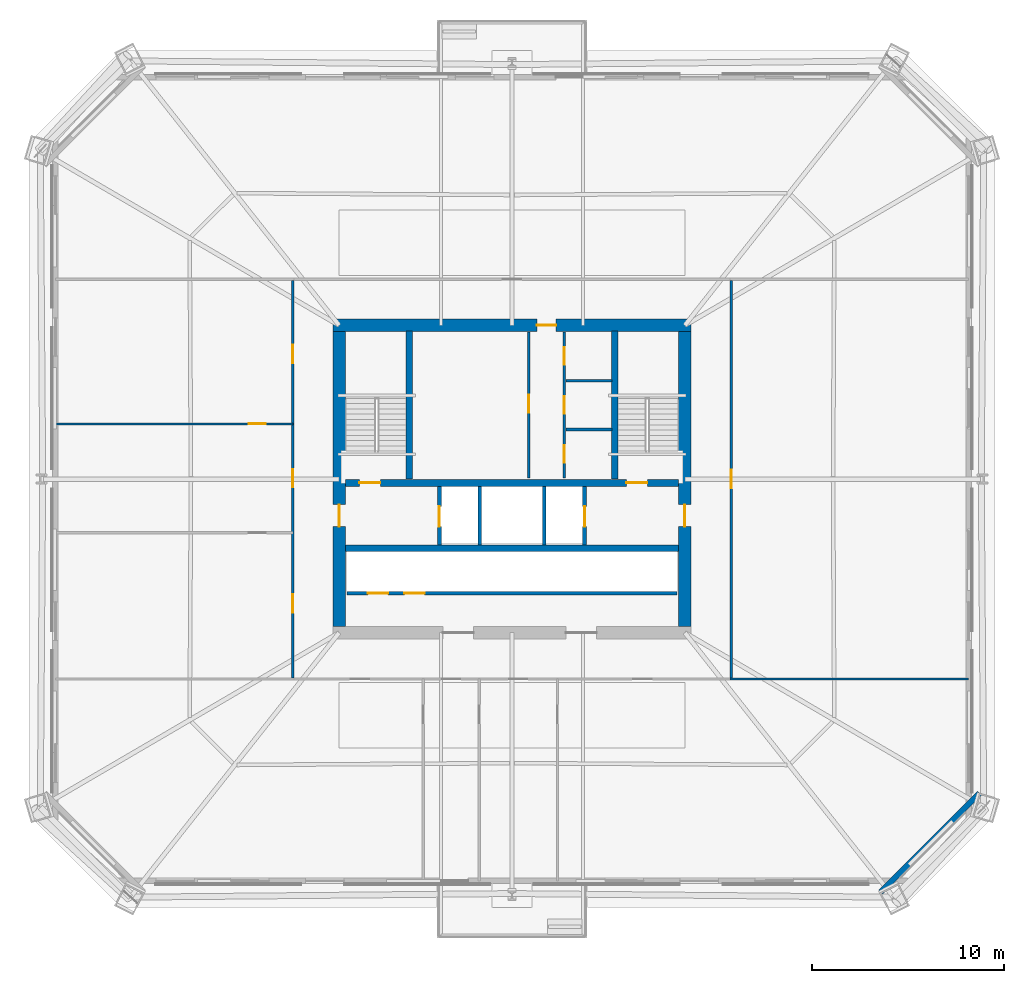
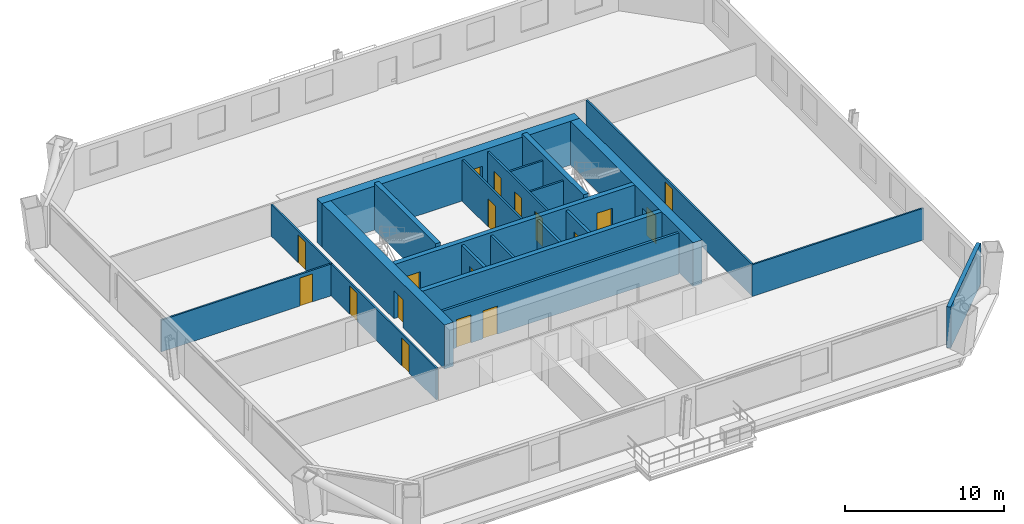
# One storey, part 4 of 8: 21 walls, 18 doors, 18 openings.
"""IFC4 building model written with IfcOpenShell, lengths in metres."""

from ifc_helpers import new_model, si_unit, direction, frame, frame_2d, origin, place, context, subcontext, project, spatial, rectangle, extrude, material, layer, layer_set, type_object, element, fill, save


model = new_model("IFC4")

# Units and contexts
model_context = context("Model", 3, precision=1e-05, world=origin(), true_north=direction((0.0, 1.0)))
body_context = subcontext(model_context, "Body", "Model", "MODEL_VIEW")
ifc_project = project(units=[si_unit("LENGTHUNIT", "METRE"), si_unit("AREAUNIT", "SQUARE_METRE"), si_unit("VOLUMEUNIT", "CUBIC_METRE"), si_unit("PLANEANGLEUNIT", "RADIAN"), si_unit("MASSUNIT", "GRAM", prefix="KILO")], contexts=[model_context])

# Site, building, storey
site_placement = place(None, origin())
site = spatial("IfcSite", under=ifc_project, at=site_placement, CompositionType="ELEMENT")
building_placement = place(site_placement, origin())
building = spatial("IfcBuilding", under=site, at=building_placement, Name="Caelvoria Tower", CompositionType="ELEMENT")
storey_placement = place(building_placement, frame((0.0, 0.0, 46.0)))
storey = spatial("IfcBuildingStorey", under=building, at=storey_placement, Name="L11", CompositionType="ELEMENT", Elevation=46.0)

# Wall, openings, doors
ifc_material_1 = material(Name="Concrete C50/60", Category="concrete")
ifc_layer_1 = layer(ifc_material_1, 0.35009765625, Name="Concrete C50/60")
ifc_layer_set_1 = layer_set([ifc_layer_1], Name="Core Internal Shear Wall 350 - Concrete C50/60")
wall_type_1 = type_object("IfcWallType", Name="Core Internal Shear Wall 350", PredefinedType="SHEAR", material=ifc_layer_set_1)
wall_1_placement = place(storey_placement, frame((37.324951171875, 31.800048828125, 0.0), z_axis=(0.0, 0.0, 1.0), x_axis=(1.0, 0.0, 0.0)))
wall_1 = element("IfcWall", 1, at=wall_1_placement, inside=storey, type_object=wall_type_1, Name="Core Shear Wall L11 M1", PredefinedType="SHEAR", context=body_context, shape_type="SweptSolid", body=[
    extrude(rectangle(XDim=17.35009765625, YDim=0.35009765625, at=frame_2d((8.675048828125, 0.0))), origin(), (0.0, 0.0, 1.0), 3.360107421875),
])
opening_1_placement = place(wall_1_placement, frame((0.72509765625, 0.0, 0.0)))
opening_1 = element("IfcOpeningElement", 2, at=opening_1_placement, cuts=wall_1, Name="Opening ID-01", PredefinedType="OPENING", context=body_context, shape_type="SweptSolid", body=[
    extrude(rectangle(XDim=1.10009765625, YDim=2.14990234375, at=frame_2d((0.550048828125, 1.074951171875))), frame((0.0, 0.18505859375, 0.0), z_axis=(0.0, -1.0, 0.0), x_axis=(1.0, 0.0, 0.0)), (0.0, 0.0, 1.0), 0.3701171875),
])
opening_2_placement = place(wall_1_placement, frame((14.625, 0.0, 0.0)))
opening_2 = element("IfcOpeningElement", 3, at=opening_2_placement, cuts=wall_1, Name="Opening ID-01", PredefinedType="OPENING", context=body_context, shape_type="SweptSolid", body=[
    extrude(rectangle(XDim=1.10009765625, YDim=2.14990234375, at=frame_2d((0.550048828125, 1.074951171875))), frame((0.0, 0.18505859375, 0.0), z_axis=(0.0, -1.0, 0.0), x_axis=(1.0, 0.0, 0.0)), (0.0, 0.0, 1.0), 0.3701171875),
])
ifc_material_2 = material(Name="Painted Hollow Steel Fire Door", Category="steel")
door_type_1 = type_object("IfcDoorType", Name="Fire Door FD90S 1100x2150", OperationType="NOTDEFINED", PredefinedType="DOOR", material=ifc_material_2)
door_1_placement = place(opening_1_placement, origin())
door_1 = element("IfcDoor", 4, at=door_1_placement, inside=storey, type_object=door_type_1, Name="Core Door DR-L11-ST1", OperationType="SINGLE_SWING_LEFT", OverallHeight=2.14990234375, OverallWidth=1.10009765625, PredefinedType="DOOR", context=body_context, shape_type="SweptSolid", body=[
    extrude(rectangle(XDim=1.10009765625, YDim=2.14990234375, at=frame_2d((0.550048828125, 1.074951171875))), frame((0.0, 0.02490234375, 0.0), z_axis=(0.0, -1.0, 0.0), x_axis=(1.0, 0.0, 0.0)), (0.0, 0.0, 1.0), 0.050048828125),
])
fill(opening_1, door_1)
door_2_placement = place(opening_2_placement, origin())
door_2 = element("IfcDoor", 5, at=door_2_placement, inside=storey, type_object=door_type_1, Name="Core Door DR-L11-ST2", OperationType="SINGLE_SWING_RIGHT", OverallHeight=2.14990234375, OverallWidth=1.10009765625, PredefinedType="DOOR", context=body_context, shape_type="SweptSolid", body=[
    extrude(rectangle(XDim=1.10009765625, YDim=2.14990234375, at=frame_2d((0.550048828125, 1.074951171875))), frame((0.0, 0.02490234375, 0.0), z_axis=(0.0, -1.0, 0.0), x_axis=(1.0, 0.0, 0.0)), (0.0, 0.0, 1.0), 0.050048828125),
])
fill(opening_2, door_2)

# Walls
wall_2_placement = place(storey_placement, frame((37.324951171875, 28.39990234375, 0.0), z_axis=(0.0, 0.0, 1.0), x_axis=(1.0, 0.0, 0.0)))
element("IfcWall", 6, at=wall_2_placement, inside=storey, type_object=wall_type_1, Name="Core Shear Wall L11 M2", PredefinedType="SHEAR", context=body_context, shape_type="SweptSolid", body=[
    extrude(rectangle(XDim=17.35009765625, YDim=0.35009765625, at=frame_2d((8.675048828125, 0.0))), origin(), (0.0, 0.0, 1.0), 3.360107421875),
])
for number, where, z_axis, x_axis, name in (
    (7, (40.64990234375, 32.0, 0.0), (0.0, 0.0, 1.0), (0.0, 1.0, 0.0), "Interior Partition IW-L11-ST1E"),
    (8, (51.35009765625, 32.0, 0.0), (0.0, 0.0, 1.0), (0.0, 1.0, 0.0), "Interior Partition IW-L11-ST2W"),
):
    element("IfcWall", number, at=place(storey_placement, frame(where, z_axis=z_axis, x_axis=x_axis)), inside=storey, type_object=wall_type_1, Name=name, PredefinedType="SHEAR", context=body_context, shape_type="SweptSolid", body=[
        extrude(rectangle(XDim=7.699951171875, YDim=0.35009765625, at=frame_2d((3.85009765625, 0.0))), origin(), (0.0, 0.0, 1.0), 3.60009765625),
    ])

# Wall, opening, door
ifc_material_3 = material(Name="Moisture-Resistant Gypsum on Steel Stud", Category="steel")
ifc_layer_2 = layer(ifc_material_3, 0.139892578125, Name="Moisture-Resistant Gypsum on Steel Stud")
ifc_layer_set_2 = layer_set([ifc_layer_2], Name="Core Sanitary Acoustic Partition Wall 140 - Moisture-Resistant Gypsum on Steel Stud")
wall_type_2 = type_object("IfcWallType", Name="Core Sanitary Acoustic Partition Wall 140", PredefinedType="PARTITIONING", material=ifc_layer_set_2)
wall_3_placement = place(storey_placement, frame((46.8798828125, 32.050048828125, 0.0), z_axis=(0.0, 0.0, 1.0), x_axis=(0.0, 1.0, 0.0)))
wall_3 = element("IfcWall", 9, at=wall_3_placement, inside=storey, type_object=wall_type_2, Name="Interior Partition IW-L11-C2L", PredefinedType="PARTITIONING", context=body_context, shape_type="SweptSolid", body=[
    extrude(rectangle(XDim=7.599853515625, YDim=0.139892578125, at=frame_2d((3.7998046875, 0.0))), origin(), (0.0, 0.0, 1.0), 3.14990234375),
])
opening_3_placement = place(wall_3_placement, frame((3.39990234375, 0.0, 0.0)))
opening_3 = element("IfcOpeningElement", 10, at=opening_3_placement, cuts=wall_3, Name="Opening ID-05", PredefinedType="OPENING", context=body_context, shape_type="SweptSolid", body=[
    extrude(rectangle(XDim=0.949951171875, YDim=2.14990234375, at=frame_2d((0.47509765625, 1.074951171875))), frame((0.0, 0.079833984375, 0.0), z_axis=(0.0, -1.0, 0.0), x_axis=(1.0, 0.0, 0.0)), (0.0, 0.0, 1.0), 0.159912109375),
])
ifc_material_4 = material(Name="Engineered Andean Oak Veneer Door", Category="wood")
door_type_2 = type_object("IfcDoorType", Name="Interior Timber Door 950x2150", OperationType="NOTDEFINED", PredefinedType="DOOR", material=ifc_material_4)
door_3_placement = place(opening_3_placement, origin())
door_3 = element("IfcDoor", 11, at=door_3_placement, inside=storey, type_object=door_type_2, Name="Interior Door DR-L11-C2W", OperationType="SINGLE_SWING_LEFT", OverallHeight=2.14990234375, OverallWidth=0.949951171875, PredefinedType="DOOR", context=body_context, shape_type="SweptSolid", body=[
    extrude(rectangle(XDim=0.949951171875, YDim=2.14990234375, at=frame_2d((0.47509765625, 1.074951171875))), frame((0.0, 0.02490234375, 0.0), z_axis=(0.0, -1.0, 0.0), x_axis=(1.0, 0.0, 0.0)), (0.0, 0.0, 1.0), 0.050048828125),
])
fill(opening_3, door_3)

# Wall, openings, doors
wall_4_placement = place(storey_placement, frame((48.719970703125, 32.050048828125, 0.0), z_axis=(0.0, 0.0, 1.0), x_axis=(0.0, 1.0, 0.0)))
wall_4 = element("IfcWall", 12, at=wall_4_placement, inside=storey, type_object=wall_type_2, Name="Interior Partition IW-L11-C2R", PredefinedType="PARTITIONING", context=body_context, shape_type="SweptSolid", body=[
    extrude(rectangle(XDim=7.599853515625, YDim=0.139892578125, at=frame_2d((3.7998046875, 0.0))), origin(), (0.0, 0.0, 1.0), 3.14990234375),
])
opening_4_placement = place(wall_4_placement, frame((0.800048828125, 0.0, 0.0)))
opening_4 = element("IfcOpeningElement", 13, at=opening_4_placement, cuts=wall_4, Name="Opening ID-04", PredefinedType="OPENING", context=body_context, shape_type="SweptSolid", body=[
    extrude(rectangle(XDim=0.89990234375, YDim=2.14990234375, at=frame_2d((0.449951171875, 1.074951171875))), frame((0.0, 0.079833984375, 0.0), z_axis=(0.0, -1.0, 0.0), x_axis=(1.0, 0.0, 0.0)), (0.0, 0.0, 1.0), 0.159912109375),
])
opening_5_placement = place(wall_4_placement, frame((3.35009765625, 0.0, 0.0)))
opening_5 = element("IfcOpeningElement", 14, at=opening_5_placement, cuts=wall_4, Name="Opening ID-06", PredefinedType="OPENING", context=body_context, shape_type="SweptSolid", body=[
    extrude(rectangle(XDim=0.89990234375, YDim=2.14990234375, at=frame_2d((0.449951171875, 1.074951171875))), frame((0.0, 0.079833984375, 0.0), z_axis=(0.0, -1.0, 0.0), x_axis=(1.0, 0.0, 0.0)), (0.0, 0.0, 1.0), 0.159912109375),
])
opening_6_placement = place(wall_4_placement, frame((5.89990234375, 0.0, 0.0)))
opening_6 = element("IfcOpeningElement", 15, at=opening_6_placement, cuts=wall_4, Name="Opening ID-07", PredefinedType="OPENING", context=body_context, shape_type="SweptSolid", body=[
    extrude(rectangle(XDim=0.919921875, YDim=2.14990234375, at=frame_2d((0.4599609375, 1.074951171875))), frame((0.0, 0.079833984375, 0.0), z_axis=(0.0, -1.0, 0.0), x_axis=(1.0, 0.0, 0.0)), (0.0, 0.0, 1.0), 0.159912109375),
])
ifc_material_5 = material(Name="Engineered Andean Oak Accessible Door", Category="wood")
door_type_3 = type_object("IfcDoorType", Name="Accessible WC Door 950x2150", OperationType="NOTDEFINED", PredefinedType="DOOR", material=ifc_material_5)
door_4_placement = place(opening_6_placement, origin())
door_4 = element("IfcDoor", 16, at=door_4_placement, inside=storey, type_object=door_type_3, Name="Interior Door DR-L11-C2E3", OperationType="SINGLE_SWING_RIGHT", OverallHeight=2.14990234375, OverallWidth=0.919921875, PredefinedType="DOOR", context=body_context, shape_type="SweptSolid", body=[
    extrude(rectangle(XDim=0.919921875, YDim=2.14990234375, at=frame_2d((0.4599609375, 1.074951171875))), frame((0.0, 0.02490234375, 0.0), z_axis=(0.0, -1.0, 0.0), x_axis=(1.0, 0.0, 0.0)), (0.0, 0.0, 1.0), 0.050048828125),
])
fill(opening_6, door_4)
ifc_material_6 = material(Name="Acoustic Timber Fire Door", Category="wood")
door_type_4 = type_object("IfcDoorType", Name="Fire Door FD30S 900x2150", OperationType="NOTDEFINED", PredefinedType="DOOR", material=ifc_material_6)
door_5_placement = place(opening_4_placement, origin())
door_5 = element("IfcDoor", 17, at=door_5_placement, inside=storey, type_object=door_type_4, Name="Interior Door DR-L11-C2E1", OperationType="SINGLE_SWING_RIGHT", OverallHeight=2.14990234375, OverallWidth=0.89990234375, PredefinedType="DOOR", context=body_context, shape_type="SweptSolid", body=[
    extrude(rectangle(XDim=0.89990234375, YDim=2.14990234375, at=frame_2d((0.449951171875, 1.074951171875))), frame((0.0, 0.02490234375, 0.0), z_axis=(0.0, -1.0, 0.0), x_axis=(1.0, 0.0, 0.0)), (0.0, 0.0, 1.0), 0.050048828125),
])
fill(opening_4, door_5)
door_type_5 = type_object("IfcDoorType", Name="Interior Timber Door 900x2150", OperationType="NOTDEFINED", PredefinedType="DOOR", material=ifc_material_4)
door_6_placement = place(opening_5_placement, origin())
door_6 = element("IfcDoor", 18, at=door_6_placement, inside=storey, type_object=door_type_5, Name="Interior Door DR-L11-C2E2", OperationType="SINGLE_SWING_LEFT", OverallHeight=2.14990234375, OverallWidth=0.89990234375, PredefinedType="DOOR", context=body_context, shape_type="SweptSolid", body=[
    extrude(rectangle(XDim=0.89990234375, YDim=2.14990234375, at=frame_2d((0.449951171875, 1.074951171875))), frame((0.0, 0.02490234375, 0.0), z_axis=(0.0, -1.0, 0.0), x_axis=(1.0, 0.0, 0.0)), (0.0, 0.0, 1.0), 0.050048828125),
])
fill(opening_5, door_6)

# Walls
for number, where, z_axis, x_axis, name in (
    (19, (48.800048828125, 34.580078125, 0.0), (0.0, 0.0, 1.0), (1.0, 0.0, 0.0), "Interior Partition IW-L11-C2H1"),
    (20, (48.800048828125, 37.1201171875, 0.0), (0.0, 0.0, 1.0), (1.0, 0.0, 0.0), "Interior Partition IW-L11-C2H2"),
):
    element("IfcWall", number, at=place(storey_placement, frame(where, z_axis=z_axis, x_axis=x_axis)), inside=storey, type_object=wall_type_2, Name=name, PredefinedType="PARTITIONING", context=body_context, shape_type="SweptSolid", body=[
        extrude(rectangle(XDim=2.39990234375, YDim=0.139892578125, at=frame_2d((1.199951171875, 0.0))), origin(), (0.0, 0.0, 1.0), 3.14990234375),
    ])
ifc_material_7 = material(Name="Precast Concrete C40/50 with Bronze Cladding", Category="concrete")
ifc_layer_3 = layer(ifc_material_7, 0.280029296875, Name="Precast Concrete C40/50 with Bronze Cladding")
ifc_layer_set_3 = layer_set([ifc_layer_3], Name="Exterior Precast Concrete C40/50 Bronze-Clad Facade Wall 280 - Precast Concrete C40/50 with Bronze Cladding")
wall_type_3 = type_object("IfcWallType", Name="Exterior Precast Concrete C40/50 Bronze-Clad Facade Wall 280", PredefinedType="STANDARD", material=ifc_layer_set_3)
wall_5_placement = place(storey_placement, frame((65.20458984375, 10.506103515625, 0.0), z_axis=(0.0, 0.0, 1.0), x_axis=(0.707106781187, 0.707106781187, 0.0)))
element("IfcWall", 21, at=wall_5_placement, inside=storey, type_object=wall_type_3, Name="Exterior Facade Wall L11-E1", PredefinedType="STANDARD", context=body_context, shape_type="SweptSolid", body=[
    extrude(rectangle(XDim=7.268310546875, YDim=0.280029296875, at=frame_2d((3.63427734375, 0.0))), origin(), (0.0, 0.0, 1.0), 3.14990234375),
])
ifc_material_8 = material(Name="Concrete Block and Fireboard Assembly", Category="concrete")
ifc_layer_4 = layer(ifc_material_8, 0.179931640625, Name="Concrete Block and Fireboard Assembly")
ifc_layer_set_4 = layer_set([ifc_layer_4], Name="Fire-Rated Hoistway Partition Wall 180 - Concrete Block and Fireboard Assembly")
wall_type_4 = type_object("IfcWallType", Name="Fire-Rated Hoistway Partition Wall 180", PredefinedType="PARTITIONING", material=ifc_layer_set_4)
for number, where, z_axis, x_axis, name in (
    (22, (44.320068359375, 28.580078125, 0.0), (0.0, 0.0, 1.0), (0.0, 1.0, 0.0), "Interior Partition IW-L11-SV1W"),
    (23, (47.679931640625, 28.580078125, 0.0), (0.0, 0.0, 1.0), (0.0, 1.0, 0.0), "Interior Partition IW-L11-SV1E"),
):
    element("IfcWall", number, at=place(storey_placement, frame(where, z_axis=z_axis, x_axis=x_axis)), inside=storey, type_object=wall_type_4, Name=name, PredefinedType="PARTITIONING", context=body_context, shape_type="SweptSolid", body=[
        extrude(rectangle(XDim=3.0400390625, YDim=0.179931640625, at=frame_2d((1.52001953125, 0.0))), origin(), (0.0, 0.0, 1.0), 3.14990234375),
    ])

# Wall, openings, doors
wall_6_placement = place(storey_placement, frame((37.39990234375, 26.050048828125, 0.0), z_axis=(0.0, 0.0, 1.0), x_axis=(1.0, 0.0, 0.0)))
wall_6 = element("IfcWall", 24, at=wall_6_placement, inside=storey, type_object=wall_type_4, Name="Interior Partition IW-L11-LFRONT", PredefinedType="PARTITIONING", context=body_context, shape_type="SweptSolid", body=[
    extrude(rectangle(XDim=17.2001953125, YDim=0.179931640625, at=frame_2d((8.60009765625, 0.0))), origin(), (0.0, 0.0, 1.0), 3.14990234375),
])
opening_7_placement = place(wall_6_placement, frame((1.10009765625, 0.0, 0.0)))
opening_7 = element("IfcOpeningElement", 25, at=opening_7_placement, cuts=wall_6, Name="Opening LD-01", PredefinedType="OPENING", context=body_context, shape_type="SweptSolid", body=[
    extrude(rectangle(XDim=1.050048828125, YDim=2.14990234375, at=frame_2d((0.52490234375, 1.074951171875))), frame((0.0, 0.099853515625, 0.0), z_axis=(0.0, -1.0, 0.0), x_axis=(1.0, 0.0, 0.0)), (0.0, 0.0, 1.0), 0.199951171875),
])
opening_8_placement = place(wall_6_placement, frame((3.0, 0.0, 0.0)))
opening_8 = element("IfcOpeningElement", 26, at=opening_8_placement, cuts=wall_6, Name="Opening LD-01", PredefinedType="OPENING", context=body_context, shape_type="SweptSolid", body=[
    extrude(rectangle(XDim=1.050048828125, YDim=2.14990234375, at=frame_2d((0.52490234375, 1.074951171875))), frame((0.0, 0.099853515625, 0.0), z_axis=(0.0, -1.0, 0.0), x_axis=(1.0, 0.0, 0.0)), (0.0, 0.0, 1.0), 0.199951171875),
])
ifc_material_9 = material(Name="Brushed Bronze Stainless Sliding Landing Door", Category="aluminium")
door_type_6 = type_object("IfcDoorType", Name="Lift Landing Sliding Door 1100x2150", OperationType="NOTDEFINED", PredefinedType="DOOR", material=ifc_material_9)
door_7_placement = place(opening_7_placement, origin())
door_7 = element("IfcDoor", 27, at=door_7_placement, inside=storey, type_object=door_type_6, Name="Interior Door LD-L11-PL1", OperationType="SLIDING_TO_LEFT", OverallHeight=2.14990234375, OverallWidth=1.050048828125, PredefinedType="DOOR", context=body_context, shape_type="SweptSolid", body=[
    extrude(rectangle(XDim=1.050048828125, YDim=2.14990234375, at=frame_2d((0.52490234375, 1.074951171875))), frame((0.0, 0.02490234375, 0.0), z_axis=(0.0, -1.0, 0.0), x_axis=(1.0, 0.0, 0.0)), (0.0, 0.0, 1.0), 0.050048828125),
])
fill(opening_7, door_7)
door_8_placement = place(opening_8_placement, origin())
door_8 = element("IfcDoor", 28, at=door_8_placement, inside=storey, type_object=door_type_6, Name="Interior Door LD-L11-PL2", OperationType="SLIDING_TO_RIGHT", OverallHeight=2.14990234375, OverallWidth=1.050048828125, PredefinedType="DOOR", context=body_context, shape_type="SweptSolid", body=[
    extrude(rectangle(XDim=1.050048828125, YDim=2.14990234375, at=frame_2d((0.52490234375, 1.074951171875))), frame((0.0, 0.02490234375, 0.0), z_axis=(0.0, -1.0, 0.0), x_axis=(1.0, 0.0, 0.0)), (0.0, 0.0, 1.0), 0.050048828125),
])
fill(opening_8, door_8)

# Wall, opening, door
ifc_layer_5 = layer(ifc_material_8, 0.199951171875, Name="Concrete Block and Fireboard Assembly")
ifc_layer_set_5 = layer_set([ifc_layer_5], Name="Fire-Rated Shaft and Core Partition Wall 200 - Concrete Block and Fireboard Assembly")
wall_type_5 = type_object("IfcWallType", Name="Fire-Rated Shaft and Core Partition Wall 200", PredefinedType="PARTITIONING", material=ifc_layer_set_5)
wall_7_placement = place(storey_placement, frame((42.219970703125, 28.580078125, 0.0), z_axis=(0.0, 0.0, 1.0), x_axis=(0.0, 1.0, 0.0)))
wall_7 = element("IfcWall", 29, at=wall_7_placement, inside=storey, type_object=wall_type_5, Name="Interior Partition IW-L11-LF1W", PredefinedType="PARTITIONING", context=body_context, shape_type="SweptSolid", body=[
    extrude(rectangle(XDim=3.0400390625, YDim=0.199951171875, at=frame_2d((1.52001953125, 0.0))), origin(), (0.0, 0.0, 1.0), 3.14990234375),
])
opening_9_placement = place(wall_7_placement, frame((0.949951171875, 0.0, 0.0)))
opening_9 = element("IfcOpeningElement", 30, at=opening_9_placement, cuts=wall_7, Name="Opening LD-01", PredefinedType="OPENING", context=body_context, shape_type="SweptSolid", body=[
    extrude(rectangle(XDim=1.050048828125, YDim=2.14990234375, at=frame_2d((0.52490234375, 1.074951171875))), frame((0.0, 0.10986328125, 0.0), z_axis=(0.0, -1.0, 0.0), x_axis=(1.0, 0.0, 0.0)), (0.0, 0.0, 1.0), 0.219970703125),
])
door_9_placement = place(opening_9_placement, origin())
door_9 = element("IfcDoor", 31, at=door_9_placement, inside=storey, type_object=door_type_6, Name="Interior Door LD-L11-LF1", OperationType="SLIDING_TO_LEFT", OverallHeight=2.14990234375, OverallWidth=1.050048828125, PredefinedType="DOOR", context=body_context, shape_type="SweptSolid", body=[
    extrude(rectangle(XDim=1.050048828125, YDim=2.14990234375, at=frame_2d((0.52490234375, 1.074951171875))), frame((0.0, 0.02490234375, 0.0), z_axis=(0.0, -1.0, 0.0), x_axis=(1.0, 0.0, 0.0)), (0.0, 0.0, 1.0), 0.050048828125),
])
fill(opening_9, door_9)

wall_8_placement = place(storey_placement, frame((49.780029296875, 28.580078125, 0.0), z_axis=(0.0, 0.0, 1.0), x_axis=(0.0, 1.0, 0.0)))
wall_8 = element("IfcWall", 32, at=wall_8_placement, inside=storey, type_object=wall_type_5, Name="Interior Partition IW-L11-LF2E", PredefinedType="PARTITIONING", context=body_context, shape_type="SweptSolid", body=[
    extrude(rectangle(XDim=3.0400390625, YDim=0.199951171875, at=frame_2d((1.52001953125, 0.0))), origin(), (0.0, 0.0, 1.0), 3.14990234375),
])
opening_10_placement = place(wall_8_placement, frame((0.949951171875, 0.0, 0.0)))
opening_10 = element("IfcOpeningElement", 33, at=opening_10_placement, cuts=wall_8, Name="Opening LD-01", PredefinedType="OPENING", context=body_context, shape_type="SweptSolid", body=[
    extrude(rectangle(XDim=1.050048828125, YDim=2.14990234375, at=frame_2d((0.52490234375, 1.074951171875))), frame((0.0, 0.10986328125, 0.0), z_axis=(0.0, -1.0, 0.0), x_axis=(1.0, 0.0, 0.0)), (0.0, 0.0, 1.0), 0.219970703125),
])
door_10_placement = place(opening_10_placement, origin())
door_10 = element("IfcDoor", 34, at=door_10_placement, inside=storey, type_object=door_type_6, Name="Interior Door LD-L11-LF2", OperationType="SLIDING_TO_RIGHT", OverallHeight=2.14990234375, OverallWidth=1.050048828125, PredefinedType="DOOR", context=body_context, shape_type="SweptSolid", body=[
    extrude(rectangle(XDim=1.050048828125, YDim=2.14990234375, at=frame_2d((0.52490234375, 1.074951171875))), frame((0.0, 0.02490234375, 0.0), z_axis=(0.0, -1.0, 0.0), x_axis=(1.0, 0.0, 0.0)), (0.0, 0.0, 1.0), 0.050048828125),
])
fill(opening_10, door_10)

ifc_material_10 = material(Name="Concrete C60/75", Category="concrete")
ifc_layer_6 = layer(ifc_material_10, 0.64990234375, Name="Concrete C60/75")
ifc_layer_set_6 = layer_set([ifc_layer_6], Name="Lower Core Shear Wall 650 - Concrete C60/75")
wall_type_6 = type_object("IfcWallType", Name="Lower Core Shear Wall 650", PredefinedType="SHEAR", material=ifc_layer_set_6)
wall_9_placement = place(storey_placement, frame((36.675048828125, 40.0, 0.0), z_axis=(0.0, 0.0, 1.0), x_axis=(1.0, 0.0, 0.0)))
wall_9 = element("IfcWall", 35, at=wall_9_placement, inside=storey, type_object=wall_type_6, Name="Core Shear Wall L11 N", PredefinedType="SHEAR", context=body_context, shape_type="SweptSolid", body=[
    extrude(rectangle(XDim=18.64990234375, YDim=0.64990234375, at=frame_2d((9.324951171875, 0.0))), origin(), (0.0, 0.0, 1.0), 3.360107421875),
])
opening_11_placement = place(wall_9_placement, frame((10.625, 0.0, 0.0)))
opening_11 = element("IfcOpeningElement", 36, at=opening_11_placement, cuts=wall_9, Name="Opening ID-03", PredefinedType="OPENING", context=body_context, shape_type="SweptSolid", body=[
    extrude(rectangle(XDim=1.0, YDim=2.14990234375, at=frame_2d((0.5, 1.074951171875))), frame((0.0, 0.3349609375, 0.0), z_axis=(0.0, -1.0, 0.0), x_axis=(1.0, 0.0, 0.0)), (0.0, 0.0, 1.0), 0.669921875),
])
door_type_7 = type_object("IfcDoorType", Name="Fire Door FD60S 1000x2150", OperationType="NOTDEFINED", PredefinedType="DOOR", material=ifc_material_2)
door_11_placement = place(opening_11_placement, origin())
door_11 = element("IfcDoor", 37, at=door_11_placement, inside=storey, type_object=door_type_7, Name="Core Door DR-L11-WC-MAIN", OperationType="SINGLE_SWING_RIGHT", OverallHeight=2.14990234375, OverallWidth=1.0, PredefinedType="DOOR", context=body_context, shape_type="SweptSolid", body=[
    extrude(rectangle(XDim=1.0, YDim=2.14990234375, at=frame_2d((0.5, 1.074951171875))), frame((0.0, 0.02490234375, 0.0), z_axis=(0.0, -1.0, 0.0), x_axis=(1.0, 0.0, 0.0)), (0.0, 0.0, 1.0), 0.050048828125),
])
fill(opening_11, door_11)

wall_10_placement = place(storey_placement, frame((37.0, 24.324951171875, 0.0), z_axis=(0.0, 0.0, 1.0), x_axis=(0.0, 1.0, 0.0)))
wall_10 = element("IfcWall", 38, at=wall_10_placement, inside=storey, type_object=wall_type_6, Name="Core Shear Wall L11 W", PredefinedType="SHEAR", context=body_context, shape_type="SweptSolid", body=[
    extrude(rectangle(XDim=15.35009765625, YDim=0.64990234375, at=frame_2d((7.675048828125, 0.0))), origin(), (0.0, 0.0, 1.0), 3.360107421875),
])
opening_12_placement = place(wall_10_placement, frame((5.199951171875, 0.0, 0.0)))
opening_12 = element("IfcOpeningElement", 39, at=opening_12_placement, cuts=wall_10, Name="Opening ID-02", PredefinedType="OPENING", context=body_context, shape_type="SweptSolid", body=[
    extrude(rectangle(XDim=1.14990234375, YDim=2.14990234375, at=frame_2d((0.574951171875, 1.074951171875))), frame((0.0, 0.3349609375, 0.0), z_axis=(0.0, -1.0, 0.0), x_axis=(1.0, 0.0, 0.0)), (0.0, 0.0, 1.0), 0.669921875),
])
door_type_8 = type_object("IfcDoorType", Name="Fire Door FD60S 1150x2150", OperationType="NOTDEFINED", PredefinedType="DOOR", material=ifc_material_2)
door_12_placement = place(opening_12_placement, origin())
door_12 = element("IfcDoor", 40, at=door_12_placement, inside=storey, type_object=door_type_8, Name="Core Door DR-L11-FFLW-OUT", OperationType="SINGLE_SWING_LEFT", OverallHeight=2.14990234375, OverallWidth=1.14990234375, PredefinedType="DOOR", context=body_context, shape_type="SweptSolid", body=[
    extrude(rectangle(XDim=1.14990234375, YDim=2.14990234375, at=frame_2d((0.574951171875, 1.074951171875))), frame((0.0, 0.02490234375, 0.0), z_axis=(0.0, -1.0, 0.0), x_axis=(1.0, 0.0, 0.0)), (0.0, 0.0, 1.0), 0.050048828125),
])
fill(opening_12, door_12)

wall_11_placement = place(storey_placement, frame((55.0, 24.324951171875, 0.0), z_axis=(0.0, 0.0, 1.0), x_axis=(0.0, 1.0, 0.0)))
wall_11 = element("IfcWall", 41, at=wall_11_placement, inside=storey, type_object=wall_type_6, Name="Core Shear Wall L11 E", PredefinedType="SHEAR", context=body_context, shape_type="SweptSolid", body=[
    extrude(rectangle(XDim=15.35009765625, YDim=0.64990234375, at=frame_2d((7.675048828125, 0.0))), origin(), (0.0, 0.0, 1.0), 3.360107421875),
])
opening_13_placement = place(wall_11_placement, frame((5.199951171875, 0.0, 0.0)))
opening_13 = element("IfcOpeningElement", 42, at=opening_13_placement, cuts=wall_11, Name="Opening ID-02", PredefinedType="OPENING", context=body_context, shape_type="SweptSolid", body=[
    extrude(rectangle(XDim=1.14990234375, YDim=2.14990234375, at=frame_2d((0.574951171875, 1.074951171875))), frame((0.0, 0.3349609375, 0.0), z_axis=(0.0, -1.0, 0.0), x_axis=(1.0, 0.0, 0.0)), (0.0, 0.0, 1.0), 0.669921875),
])
door_13_placement = place(opening_13_placement, origin())
door_13 = element("IfcDoor", 43, at=door_13_placement, inside=storey, type_object=door_type_8, Name="Core Door DR-L11-FFLE-OUT", OperationType="SINGLE_SWING_RIGHT", OverallHeight=2.14990234375, OverallWidth=1.14990234375, PredefinedType="DOOR", context=body_context, shape_type="SweptSolid", body=[
    extrude(rectangle(XDim=1.14990234375, YDim=2.14990234375, at=frame_2d((0.574951171875, 1.074951171875))), frame((0.0, 0.02490234375, 0.0), z_axis=(0.0, -1.0, 0.0), x_axis=(1.0, 0.0, 0.0)), (0.0, 0.0, 1.0), 0.050048828125),
])
fill(opening_13, door_13)

ifc_material_11 = material(Name="Acoustic Gypsum Board on Light-Gauge Stud", Category="gypsum")
ifc_layer_7 = layer(ifc_material_11, 0.1201171875, Name="Acoustic Gypsum Board on Light-Gauge Stud")
ifc_layer_set_7 = layer_set([ifc_layer_7], Name="Tenant Suite Acoustic Partition Wall 120 - Acoustic Gypsum Board on Light-Gauge Stud")
wall_type_7 = type_object("IfcWallType", Name="Tenant Suite Acoustic Partition Wall 120", PredefinedType="PARTITIONING", material=ifc_layer_set_7)
wall_12_placement = place(storey_placement, frame((34.590087890625, 34.87060546875, 0.0), z_axis=(0.0, 0.0, 1.0), x_axis=(-1.0, 0.0, 0.0)))
wall_12 = element("IfcWall", 44, at=wall_12_placement, inside=storey, type_object=wall_type_7, Name="Interior Partition IW-L11-WD-01-0", PredefinedType="PARTITIONING", context=body_context, shape_type="SweptSolid", body=[
    extrude(rectangle(XDim=12.360107421875, YDim=0.1201171875, at=frame_2d((6.18017578125, 0.0))), origin(), (0.0, 0.0, 1.0), 2.429931640625),
])
opening_14_placement = place(wall_12_placement, frame((1.39990234375, 0.0, 0.0)))
opening_14 = element("IfcOpeningElement", 45, at=opening_14_placement, cuts=wall_12, Name="Opening ID-06", PredefinedType="OPENING", context=body_context, shape_type="SweptSolid", body=[
    extrude(rectangle(XDim=0.89990234375, YDim=2.14990234375, at=frame_2d((0.449951171875, 1.074951171875))), frame((0.0, 0.070068359375, 0.0), z_axis=(0.0, -1.0, 0.0), x_axis=(1.0, 0.0, 0.0)), (0.0, 0.0, 1.0), 0.14013671875),
])
door_14_placement = place(opening_14_placement, origin())
door_14 = element("IfcDoor", 46, at=door_14_placement, inside=storey, type_object=door_type_5, Name="Interior Door DR-L11-WM-01-0", OperationType="SINGLE_SWING_LEFT", OverallHeight=2.14990234375, OverallWidth=0.89990234375, PredefinedType="DOOR", context=body_context, shape_type="SweptSolid", body=[
    extrude(rectangle(XDim=0.89990234375, YDim=2.14990234375, at=frame_2d((0.449951171875, 1.074951171875))), frame((0.0, 0.02490234375, 0.0), z_axis=(0.0, -1.0, 0.0), x_axis=(1.0, 0.0, 0.0)), (0.0, 0.0, 1.0), 0.050048828125),
])
fill(opening_14, door_14)

# Wall, openings, doors
wall_13_placement = place(storey_placement, frame((34.590087890625, 21.64990234375, 0.0), z_axis=(0.0, 0.0, 1.0), x_axis=(0.0, 1.0, 0.0)))
wall_13 = element("IfcWall", 47, at=wall_13_placement, inside=storey, type_object=wall_type_7, Name="Interior Partition IW-L11-WCW-0", PredefinedType="PARTITIONING", context=body_context, shape_type="SweptSolid", body=[
    extrude(rectangle(XDim=20.7001953125, YDim=0.1201171875, at=frame_2d((10.35009765625, 0.0))), origin(), (0.0, 0.0, 1.0), 2.429931640625),
])
opening_15_placement = place(wall_13_placement, frame((3.402099609375, 0.0, 0.0)))
opening_15 = element("IfcOpeningElement", 48, at=opening_15_placement, cuts=wall_13, Name="Opening ID-05", PredefinedType="OPENING", context=body_context, shape_type="SweptSolid", body=[
    extrude(rectangle(XDim=0.949951171875, YDim=2.14990234375, at=frame_2d((0.47509765625, 1.074951171875))), frame((0.0, 0.070068359375, 0.0), z_axis=(0.0, -1.0, 0.0), x_axis=(1.0, 0.0, 0.0)), (0.0, 0.0, 1.0), 0.14013671875),
])
opening_16_placement = place(wall_13_placement, frame((9.912353515625, 0.0, 0.0)))
opening_16 = element("IfcOpeningElement", 49, at=opening_16_placement, cuts=wall_13, Name="Opening ID-05", PredefinedType="OPENING", context=body_context, shape_type="SweptSolid", body=[
    extrude(rectangle(XDim=0.949951171875, YDim=2.14990234375, at=frame_2d((0.47509765625, 1.074951171875))), frame((0.0, 0.070068359375, 0.0), z_axis=(0.0, -1.0, 0.0), x_axis=(1.0, 0.0, 0.0)), (0.0, 0.0, 1.0), 0.14013671875),
])
opening_17_placement = place(wall_13_placement, frame((16.38525390625, 0.0, 0.0)))
opening_17 = element("IfcOpeningElement", 50, at=opening_17_placement, cuts=wall_13, Name="Opening ID-05", PredefinedType="OPENING", context=body_context, shape_type="SweptSolid", body=[
    extrude(rectangle(XDim=0.949951171875, YDim=2.14990234375, at=frame_2d((0.47509765625, 1.074951171875))), frame((0.0, 0.070068359375, 0.0), z_axis=(0.0, -1.0, 0.0), x_axis=(1.0, 0.0, 0.0)), (0.0, 0.0, 1.0), 0.14013671875),
])
door_15_placement = place(opening_15_placement, origin())
door_15 = element("IfcDoor", 51, at=door_15_placement, inside=storey, type_object=door_type_2, Name="Interior Door DR-L11-WC-00-0", OperationType="SINGLE_SWING_RIGHT", OverallHeight=2.14990234375, OverallWidth=0.949951171875, PredefinedType="DOOR", context=body_context, shape_type="SweptSolid", body=[
    extrude(rectangle(XDim=0.949951171875, YDim=2.14990234375, at=frame_2d((0.47509765625, 1.074951171875))), frame((0.0, 0.02490234375, 0.0), z_axis=(0.0, -1.0, 0.0), x_axis=(1.0, 0.0, 0.0)), (0.0, 0.0, 1.0), 0.050048828125),
])
fill(opening_15, door_15)
door_16_placement = place(opening_16_placement, origin())
door_16 = element("IfcDoor", 52, at=door_16_placement, inside=storey, type_object=door_type_2, Name="Interior Door DR-L11-WC-01-0", OperationType="SINGLE_SWING_LEFT", OverallHeight=2.14990234375, OverallWidth=0.949951171875, PredefinedType="DOOR", context=body_context, shape_type="SweptSolid", body=[
    extrude(rectangle(XDim=0.949951171875, YDim=2.14990234375, at=frame_2d((0.47509765625, 1.074951171875))), frame((0.0, 0.02490234375, 0.0), z_axis=(0.0, -1.0, 0.0), x_axis=(1.0, 0.0, 0.0)), (0.0, 0.0, 1.0), 0.050048828125),
])
fill(opening_16, door_16)
door_17_placement = place(opening_17_placement, origin())
door_17 = element("IfcDoor", 53, at=door_17_placement, inside=storey, type_object=door_type_2, Name="Interior Door DR-L11-WC-02-0", OperationType="SINGLE_SWING_RIGHT", OverallHeight=2.14990234375, OverallWidth=0.949951171875, PredefinedType="DOOR", context=body_context, shape_type="SweptSolid", body=[
    extrude(rectangle(XDim=0.949951171875, YDim=2.14990234375, at=frame_2d((0.47509765625, 1.074951171875))), frame((0.0, 0.02490234375, 0.0), z_axis=(0.0, -1.0, 0.0), x_axis=(1.0, 0.0, 0.0)), (0.0, 0.0, 1.0), 0.050048828125),
])
fill(opening_17, door_17)

# Wall, opening, door
wall_14_placement = place(storey_placement, frame((57.409912109375, 21.64990234375, 0.0), z_axis=(0.0, 0.0, 1.0), x_axis=(0.0, 1.0, 0.0)))
wall_14 = element("IfcWall", 54, at=wall_14_placement, inside=storey, type_object=wall_type_7, Name="Interior Partition IW-L11-ECW-0", PredefinedType="PARTITIONING", context=body_context, shape_type="SweptSolid", body=[
    extrude(rectangle(XDim=20.7001953125, YDim=0.1201171875, at=frame_2d((10.35009765625, 0.0))), origin(), (0.0, 0.0, 1.0), 2.429931640625),
])
opening_18_placement = place(wall_14_placement, frame((9.875, 0.0, 0.0)))
opening_18 = element("IfcOpeningElement", 55, at=opening_18_placement, cuts=wall_14, Name="Opening ID-05", PredefinedType="OPENING", context=body_context, shape_type="SweptSolid", body=[
    extrude(rectangle(XDim=0.949951171875, YDim=2.14990234375, at=frame_2d((0.47509765625, 1.074951171875))), frame((0.0, 0.070068359375, 0.0), z_axis=(0.0, -1.0, 0.0), x_axis=(1.0, 0.0, 0.0)), (0.0, 0.0, 1.0), 0.14013671875),
])
door_18_placement = place(opening_18_placement, origin())
door_18 = element("IfcDoor", 56, at=door_18_placement, inside=storey, type_object=door_type_2, Name="Interior Door DR-L11-EC-00-0", OperationType="SINGLE_SWING_RIGHT", OverallHeight=2.14990234375, OverallWidth=0.949951171875, PredefinedType="DOOR", context=body_context, shape_type="SweptSolid", body=[
    extrude(rectangle(XDim=0.949951171875, YDim=2.14990234375, at=frame_2d((0.47509765625, 1.074951171875))), frame((0.0, 0.02490234375, 0.0), z_axis=(0.0, -1.0, 0.0), x_axis=(1.0, 0.0, 0.0)), (0.0, 0.0, 1.0), 0.050048828125),
])
fill(opening_18, door_18)

# Wall
wall_15_placement = place(storey_placement, frame((57.35009765625, 21.590087890625, 0.0), z_axis=(0.0, 0.0, 1.0), x_axis=(1.0, 0.0, 0.0)))
element("IfcWall", 57, at=wall_15_placement, inside=storey, type_object=wall_type_7, Name="Interior Partition IW-L11-BSE-0", PredefinedType="PARTITIONING", context=body_context, shape_type="SweptSolid", body=[
    extrude(rectangle(XDim=12.419921875, YDim=0.1201171875, at=frame_2d((6.2099609375, 0.0))), origin(), (0.0, 0.0, 1.0), 2.429931640625),
])

save(model, "model.ifc")
